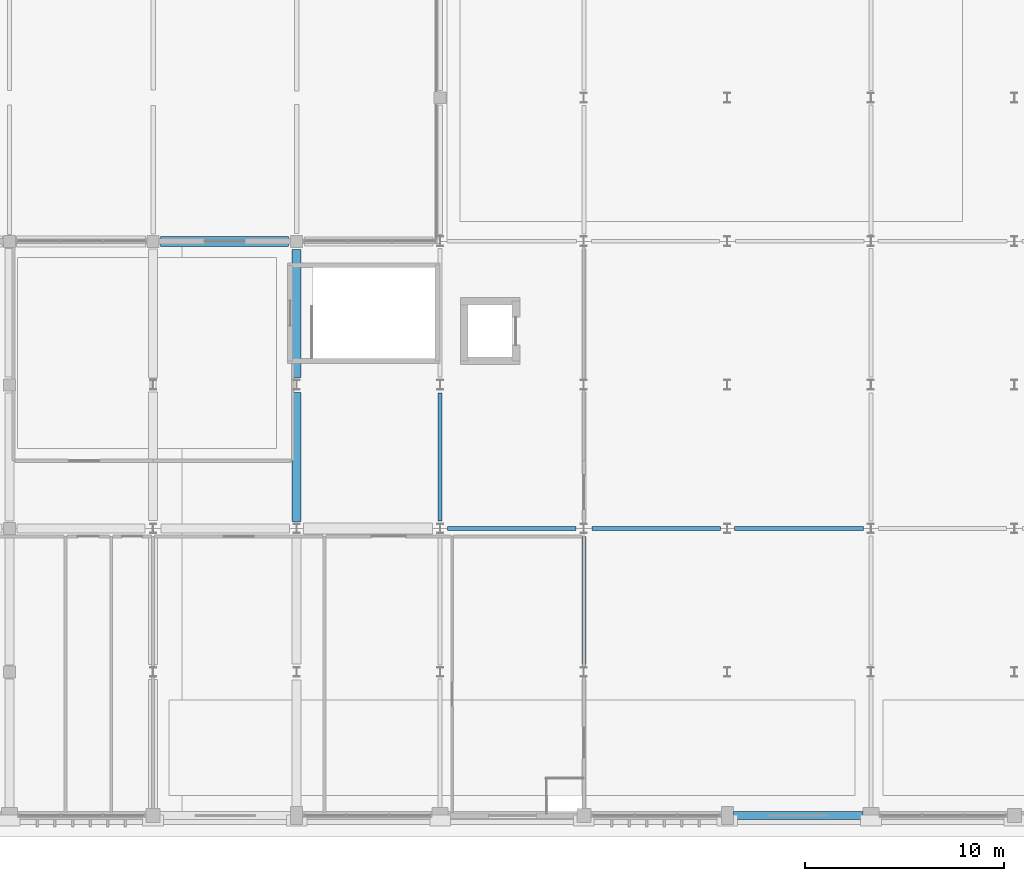
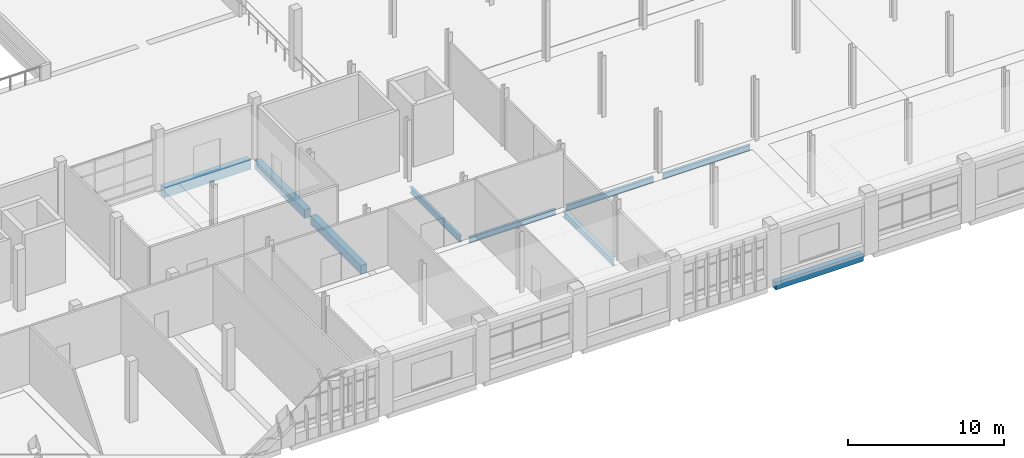
# One storey, part 30 of 82: 9 beams.
"""IFC4 building model written with IfcOpenShell, lengths in metres."""

from ifc_helpers import new_model, si_unit, direction, frame, origin, origin_2d, place, context, subcontext, project, spatial, rectangle, i_section, extrude, material, material_profile, profile_set, type_object, element, save


model = new_model("IFC4")

# Units and contexts
model_context = context("Model", 3, precision=1e-05, world=origin(), true_north=direction((0.0, 1.0)))
body_context = subcontext(model_context, "Body", "Model", "MODEL_VIEW")
ifc_project = project(units=[si_unit("LENGTHUNIT", "METRE"), si_unit("AREAUNIT", "SQUARE_METRE"), si_unit("VOLUMEUNIT", "CUBIC_METRE"), si_unit("PLANEANGLEUNIT", "RADIAN"), si_unit("MASSUNIT", "GRAM", prefix="KILO")], contexts=[model_context])

# Site, building, storey
site_placement = place(None, origin())
site = spatial("IfcSite", under=ifc_project, at=site_placement, CompositionType="ELEMENT")
building_placement = place(site_placement, origin())
building = spatial("IfcBuilding", under=site, at=building_placement, Name="Sardonyx Promenade Sports Hall", CompositionType="ELEMENT")
storey_placement = place(building_placement, frame((0.0, 0.0, 11.199951171875)))
storey = spatial("IfcBuildingStorey", under=building, at=storey_placement, Name="L02", CompositionType="ELEMENT", Elevation=11.199951171875)

# Beams
ifc_material_1 = material(Name="Concrete C40/50", Category="concrete")
ifc_material_profile_1 = material_profile(ifc_material_1, rectangle(XDim=0.5, YDim=0.75, at=origin_2d()))
ifc_profile_set_1 = profile_set([ifc_material_profile_1], Name="Concrete C40/50")
beam_type_1 = type_object("IfcBeamType", Name="Bm_Girder_RC750", PredefinedType="BEAM", material=ifc_profile_set_1)
beam_1_placement = place(storey_placement, frame((93.97509765625, 28.800048828125, -0.375), z_axis=(1.0, 0.0, 0.0), x_axis=(0.0, 1.0, 0.0)))
element("IfcBeam", 1, at=beam_1_placement, inside=storey, type_object=beam_type_1, Name="Beam BG02 L02 #506", PredefinedType="BEAM", context=body_context, shape_type="SweptSolid", body=[
    extrude(rectangle(XDim=0.5, YDim=0.75, at=origin_2d()), origin(), (0.0, 0.0, 1.0), 6.4248046875),
])
ifc_material_2 = material(Name="Steel S355JR", Category="steel")
ifc_material_profile_2 = material_profile(ifc_material_2, i_section(OverallWidth=0.18994140625, OverallDepth=0.453369140625, WebThickness=0.008544921875, FlangeThickness=0.0126953125, at=origin_2d()))
ifc_profile_set_2 = profile_set([ifc_material_profile_2], Name="Steel S355JR")
beam_type_2 = type_object("IfcBeamType", Name="Bm_Girder_UB457", PredefinedType="BEAM", material=ifc_profile_set_2)
beam_2_placement = place(storey_placement, frame((108.375, 14.39990234375, -0.49658203125), z_axis=(1.0, 0.0, 0.0), x_axis=(0.0, 1.0, 0.0)))
element("IfcBeam", 2, at=beam_2_placement, inside=storey, type_object=beam_type_2, Name="Beam SB01 L02 #485", PredefinedType="BEAM", context=body_context, shape_type="SweptSolid", body=[
    extrude(i_section(OverallWidth=0.18994140625, OverallDepth=0.453369140625, WebThickness=0.008544921875, FlangeThickness=0.0126953125, at=origin_2d()), origin(), (0.0, 0.0, 1.0), 6.425048828125),
])
beam_3_placement = place(storey_placement, frame((115.60009765625, 14.39990234375, -0.5166015625), z_axis=(1.0, 0.0, 0.0), x_axis=(0.0, 1.0, 0.0)))
element("IfcBeam", 3, at=beam_3_placement, inside=storey, type_object=beam_type_2, Name="Beam SB01 L02 #486", PredefinedType="BEAM", context=body_context, shape_type="SweptSolid", body=[
    extrude(i_section(OverallWidth=0.18994140625, OverallDepth=0.453369140625, WebThickness=0.008544921875, FlangeThickness=0.0126953125, at=origin_2d()), origin(), (0.0, 0.0, 1.0), 6.449951171875),
])
beam_4_placement = place(storey_placement, frame((122.75, 14.39990234375, -0.5166015625), z_axis=(1.0, 0.0, 0.0), x_axis=(0.0, 1.0, 0.0)))
element("IfcBeam", 4, at=beam_4_placement, inside=storey, type_object=beam_type_2, Name="Beam SB01 L02 #487", PredefinedType="BEAM", context=body_context, shape_type="SweptSolid", body=[
    extrude(i_section(OverallWidth=0.18994140625, OverallDepth=0.453369140625, WebThickness=0.008544921875, FlangeThickness=0.0126953125, at=origin_2d()), origin(), (0.0, 0.0, 1.0), 6.47509765625),
])
ifc_material_3 = material(Name="Steel S355JR", Category="steel")
ifc_material_profile_3 = material_profile(ifc_material_3, i_section(OverallWidth=0.199951171875, OverallDepth=0.5, WebThickness=0.01025390625, FlangeThickness=0.01611328125, at=origin_2d()))
ifc_profile_set_3 = profile_set([ifc_material_profile_3], Name="Steel S355JR")
beam_type_3 = type_object("IfcBeamType", Name="Bm_Primary_IPE500", PredefinedType="BEAM", material=ifc_profile_set_3)
for number, where, z_axis, x_axis, name in (
    (5, (108.0, 14.77490234375, -0.52001953125), (0.0, 1.0, 0.0), (-1.0, 0.0, 0.0), "Beam SB06 L02 #648"),
    (6, (115.199951171875, 7.574951171875, -0.5400390625), (0.0, 1.0, 0.0), (-1.0, 0.0, 0.0), "Beam SB06 L02 #661"),
):
    element("IfcBeam", number, at=place(storey_placement, frame(where, z_axis=z_axis, x_axis=x_axis)), inside=storey, type_object=beam_type_3, Name=name, PredefinedType="BEAM", context=body_context, shape_type="SweptSolid", body=[
        extrude(i_section(OverallWidth=0.199951171875, OverallDepth=0.5, WebThickness=0.01025390625, FlangeThickness=0.01611328125, at=origin_2d()), origin(), (0.0, 0.0, 1.0), 6.425048828125),
    ])
ifc_material_4 = material(Name="Concrete C40/50", Category="concrete")
ifc_material_profile_4 = material_profile(ifc_material_4, rectangle(XDim=0.449951171875, YDim=0.699951171875, at=origin_2d()))
ifc_profile_set_4 = profile_set([ifc_material_profile_4], Name="Concrete C40/50")
beam_type_4 = type_object("IfcBeamType", Name="Bm_Primary_RC700", PredefinedType="BEAM", material=ifc_profile_set_4)
beam_5_placement = place(storey_placement, frame((100.800048828125, 14.75, -0.349853515625), z_axis=(0.0, 1.0, 0.0), x_axis=(-1.0, 0.0, 0.0)))
element("IfcBeam", 7, at=beam_5_placement, inside=storey, type_object=beam_type_4, Name="Beam BG01 L02 #638", PredefinedType="BEAM", context=body_context, shape_type="SweptSolid", body=[
    extrude(rectangle(XDim=0.449951171875, YDim=0.699951171875, at=origin_2d()), origin(), (0.0, 0.0, 1.0), 6.47509765625),
])
beam_6_placement = place(storey_placement, frame((100.800048828125, 21.97509765625, -0.349853515625), z_axis=(0.0, 1.0, 0.0), x_axis=(-1.0, 0.0, 0.0)))
element("IfcBeam", 8, at=beam_6_placement, inside=storey, type_object=beam_type_4, Name="Beam BG01 L02 #639", PredefinedType="BEAM", context=body_context, shape_type="SweptSolid", body=[
    extrude(rectangle(XDim=0.449951171875, YDim=0.699951171875, at=origin_2d()), origin(), (0.0, 0.0, 1.0), 6.4248046875),
])
ifc_material_5 = material(Name="Concrete C40/50", Category="concrete")
ifc_material_profile_5 = material_profile(ifc_material_5, rectangle(XDim=0.39990234375, YDim=0.60009765625, at=origin_2d()))
ifc_profile_set_5 = profile_set([ifc_material_profile_5], Name="Concrete C40/50")
beam_type_5 = type_object("IfcBeamType", Name="Bm_Spandrel_RC600", PredefinedType="SPANDREL", material=ifc_profile_set_5)
beam_7_placement = place(storey_placement, frame((122.699951171875, 0.0, -0.300048828125), z_axis=(1.0, 0.0, 0.0), x_axis=(0.0, 1.0, 0.0)))
element("IfcBeam", 9, at=beam_7_placement, inside=storey, type_object=beam_type_5, Name="Beam SPB1 L02 #464", PredefinedType="SPANDREL", context=body_context, shape_type="SweptSolid", body=[
    extrude(rectangle(XDim=0.39990234375, YDim=0.60009765625, at=origin_2d()), origin(), (0.0, 0.0, 1.0), 6.5),
])

save(model, "model.ifc")
